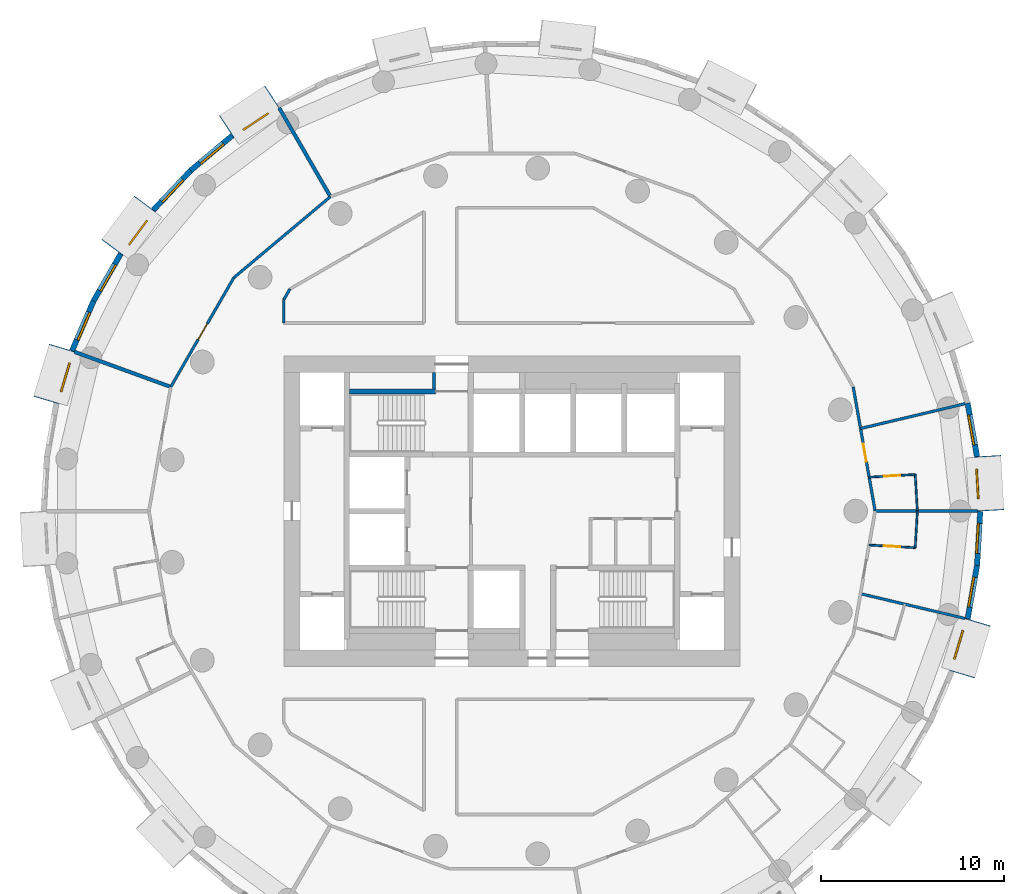
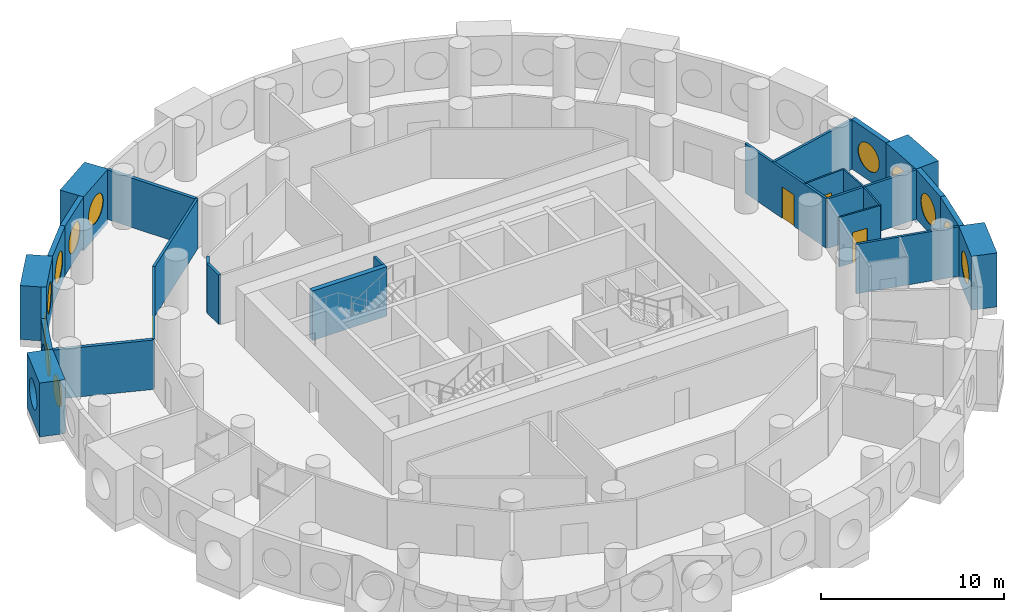
# One storey, part 6 of 10: 28 walls, 12 windows, 4 doors, 16 openings.
"""IFC4 building model written with IfcOpenShell, lengths in metres."""

from ifc_helpers import new_model, si_unit, direction, frame, frame_2d, origin, origin_2d, place, context, subcontext, project, spatial, rectangle, circle, extrude, material, layer, layer_set, type_object, element, fill, save


model = new_model("IFC4")

# Units and contexts
model_context = context("Model", 3, precision=1e-05, world=origin(), true_north=direction((0.0, 1.0)))
body_context = subcontext(model_context, "Body", "Model", "MODEL_VIEW")
ifc_project = project(units=[si_unit("LENGTHUNIT", "METRE"), si_unit("AREAUNIT", "SQUARE_METRE"), si_unit("VOLUMEUNIT", "CUBIC_METRE"), si_unit("PLANEANGLEUNIT", "RADIAN"), si_unit("MASSUNIT", "GRAM", prefix="KILO")], contexts=[model_context])

# Site, building, storey
site_placement = place(None, origin())
site = spatial("IfcSite", under=ifc_project, at=site_placement, CompositionType="ELEMENT")
building_placement = place(site_placement, origin())
building = spatial("IfcBuilding", under=site, at=building_placement, Name="Tracery Tower", CompositionType="ELEMENT")
storey_placement = place(building_placement, frame((0.0, 0.0, 194.39990234375)))
storey = spatial("IfcBuildingStorey", under=building, at=storey_placement, Name="L50", CompositionType="ELEMENT", Elevation=194.39990234375)

# Wall
ifc_material_1 = material(Name="Plasterboard on steel studs", Category="steel")
ifc_layer_1 = layer(ifc_material_1, 0.14990234375)
ifc_layer_set_1 = layer_set([ifc_layer_1], Name="Core room partition 150")
wall_type_1 = type_object("IfcWallType", Name="Core room partition 150", PredefinedType="SOLIDWALL", material=ifc_layer_set_1)
wall_1_placement = place(storey_placement, frame((-4.27490234375, 6.699951171875, 0.0), z_axis=(0.0, 0.0, 1.0), x_axis=(0.0, 1.0, 0.0)))
element("IfcWall", 1, at=wall_1_placement, inside=storey, type_object=wall_type_1, Name="L50 F N room", PredefinedType="SOLIDWALL", context=body_context, shape_type="SweptSolid", body=[
    extrude(rectangle(XDim=0.900146484375, YDim=0.14990234375, at=frame_2d((0.4501953125, 0.0))), origin(), (0.0, 0.0, 1.0), 3.300048828125),
])

# Wall, opening, window
ifc_material_2 = material(Name="Precast concrete C50/60", Category="concrete")
ifc_layer_2 = layer(ifc_material_2, 1.449951171875)
ifc_layer_set_2 = layer_set([ifc_layer_2], Name="Deep-set bay unit 3000 x 3600, slab edge 300")
wall_type_2 = type_object("IfcWallType", Name="Deep-set bay unit 3000 x 3600, slab edge 300", PredefinedType="ELEMENTEDWALL", material=ifc_layer_set_2)
wall_2_placement = place(storey_placement, frame((26.221923828125, 0.024658203125, -0.2998046875), z_axis=(0.0, 0.0, 1.0), x_axis=(-0.058106596105, 0.998310384344, 0.0)))
wall_2 = element("IfcWall", 2, at=wall_2_placement, inside=storey, type_object=wall_type_2, Name="Deep-set bay unit 1 at L50", PredefinedType="ELEMENTEDWALL", context=body_context, shape_type="SweptSolid", body=[
    extrude(rectangle(XDim=3.0, YDim=1.449951171875, at=frame_2d((1.5, 0.0))), origin(), (0.0, 0.0, 1.0), 3.599853515625),
])
opening_1_placement = place(wall_2_placement, frame((1.5, 0.0, 1.85009765625)))
opening_1 = element("IfcOpeningElement", 3, at=opening_1_placement, cuts=wall_2, Name="Opening WN1", PredefinedType="OPENING", context=body_context, shape_type="SweptSolid", body=[
    extrude(circle(Radius=0.9000244140625, at=origin_2d()), frame((0.0, 0.73486328125, 0.0), z_axis=(0.0, -1.0, 0.0), x_axis=(1.0, 0.0, 0.0)), (0.0, 0.0, 1.0), 1.469970703125),
])
ifc_material_3 = material(Name="Aluminium frame with tinted double glazing", Category="aluminium")
window_type = type_object("IfcWindowType", Name="Round window 1800", PartitioningType="SINGLE_PANEL", PredefinedType="WINDOW", material=ifc_material_3)
window_1_placement = place(opening_1_placement, origin())
window_1 = element("IfcWindow", 4, at=window_1_placement, inside=storey, type_object=window_type, Name="Round window 1 at L50", OverallHeight=1.800048828125, OverallWidth=1.800048828125, PartitioningType="SINGLE_PANEL", PredefinedType="WINDOW", context=body_context, shape_type="SweptSolid", body=[
    extrude(circle(Radius=0.9000244140625, at=origin_2d()), frame((0.0, 0.69482421875, 0.0), z_axis=(0.0, -1.0, 0.0), x_axis=(1.0, 0.0, 0.0)), (0.0, 0.0, 1.0), 0.10009765625),
])
fill(opening_1, window_1)

wall_3_placement = place(storey_placement, frame((-13.13232421875, 22.696533203125, -0.2998046875), z_axis=(0.0, 0.0, 1.0), x_axis=(-0.835514416706, -0.549468524554, 0.0)))
wall_3 = element("IfcWall", 5, at=wall_3_placement, inside=storey, type_object=wall_type_2, Name="Deep-set bay unit 19 at L50", PredefinedType="ELEMENTEDWALL", context=body_context, shape_type="SweptSolid", body=[
    extrude(rectangle(XDim=3.0, YDim=1.449951171875, at=frame_2d((1.5, 0.0))), origin(), (0.0, 0.0, 1.0), 3.599853515625),
])
opening_2_placement = place(wall_3_placement, frame((1.5, 0.0, 1.85009765625)))
opening_2 = element("IfcOpeningElement", 6, at=opening_2_placement, cuts=wall_3, Name="Opening WN1", PredefinedType="OPENING", context=body_context, shape_type="SweptSolid", body=[
    extrude(circle(Radius=0.9000244140625, at=origin_2d()), frame((0.0, 0.73486328125, 0.0), z_axis=(0.0, -1.0, 0.0), x_axis=(1.0, 0.0, 0.0)), (0.0, 0.0, 1.0), 1.469970703125),
])
window_2_placement = place(opening_2_placement, origin())
window_2 = element("IfcWindow", 7, at=window_2_placement, inside=storey, type_object=window_type, Name="Round window 19 at L50", OverallHeight=1.800048828125, OverallWidth=1.800048828125, PartitioningType="SINGLE_PANEL", PredefinedType="WINDOW", context=body_context, shape_type="SweptSolid", body=[
    extrude(circle(Radius=0.9000244140625, at=origin_2d()), frame((0.0, 0.69482421875, 0.0), z_axis=(0.0, -1.0, 0.0), x_axis=(1.0, 0.0, 0.0)), (0.0, 0.0, 1.0), 0.10009765625),
])
fill(opening_2, window_2)

wall_4_placement = place(storey_placement, frame((-20.10302734375, 16.836181640625, -0.2998046875), z_axis=(0.0, 0.0, 1.0), x_axis=(-0.597183717734, -0.802104486506, 0.0)))
wall_4 = element("IfcWall", 8, at=wall_4_placement, inside=storey, type_object=wall_type_2, Name="Deep-set bay unit 22 at L50", PredefinedType="ELEMENTEDWALL", context=body_context, shape_type="SweptSolid", body=[
    extrude(rectangle(XDim=3.0, YDim=1.449951171875, at=frame_2d((1.5, 0.0))), origin(), (0.0, 0.0, 1.0), 3.599853515625),
])
opening_3_placement = place(wall_4_placement, frame((1.5, 0.0, 1.85009765625)))
opening_3 = element("IfcOpeningElement", 9, at=opening_3_placement, cuts=wall_4, Name="Opening WN1", PredefinedType="OPENING", context=body_context, shape_type="SweptSolid", body=[
    extrude(circle(Radius=0.9000244140625, at=origin_2d()), frame((0.0, 0.73486328125, 0.0), z_axis=(0.0, -1.0, 0.0), x_axis=(1.0, 0.0, 0.0)), (0.0, 0.0, 1.0), 1.469970703125),
])
window_3_placement = place(opening_3_placement, origin())
window_3 = element("IfcWindow", 10, at=window_3_placement, inside=storey, type_object=window_type, Name="Round window 22 at L50", OverallHeight=1.800048828125, OverallWidth=1.800048828125, PartitioningType="SINGLE_PANEL", PredefinedType="WINDOW", context=body_context, shape_type="SweptSolid", body=[
    extrude(circle(Radius=0.9000244140625, at=origin_2d()), frame((0.0, 0.69482421875, 0.0), z_axis=(0.0, -1.0, 0.0), x_axis=(1.0, 0.0, 0.0)), (0.0, 0.0, 1.0), 0.10009765625),
])
fill(opening_3, window_3)

wall_5_placement = place(storey_placement, frame((-24.649169921875, 8.9453125, -0.2998046875), z_axis=(0.0, 0.0, 1.0), x_axis=(-0.286780420304, -0.957996341606, 0.0)))
wall_5 = element("IfcWall", 11, at=wall_5_placement, inside=storey, type_object=wall_type_2, Name="Deep-set bay unit 25 at L50", PredefinedType="ELEMENTEDWALL", context=body_context, shape_type="SweptSolid", body=[
    extrude(rectangle(XDim=3.0, YDim=1.449951171875, at=frame_2d((1.5, 0.0))), origin(), (0.0, 0.0, 1.0), 3.599853515625),
])
opening_4_placement = place(wall_5_placement, frame((1.5, 0.0, 1.85009765625)))
opening_4 = element("IfcOpeningElement", 12, at=opening_4_placement, cuts=wall_5, Name="Opening WN1", PredefinedType="OPENING", context=body_context, shape_type="SweptSolid", body=[
    extrude(circle(Radius=0.9000244140625, at=origin_2d()), frame((0.0, 0.73486328125, 0.0), z_axis=(0.0, -1.0, 0.0), x_axis=(1.0, 0.0, 0.0)), (0.0, 0.0, 1.0), 1.469970703125),
])
window_4_placement = place(opening_4_placement, origin())
window_4 = element("IfcWindow", 13, at=window_4_placement, inside=storey, type_object=window_type, Name="Round window 25 at L50", OverallHeight=1.800048828125, OverallWidth=1.800048828125, PartitioningType="SINGLE_PANEL", PredefinedType="WINDOW", context=body_context, shape_type="SweptSolid", body=[
    extrude(circle(Radius=0.9000244140625, at=origin_2d()), frame((0.0, 0.69482421875, 0.0), z_axis=(0.0, -1.0, 0.0), x_axis=(1.0, 0.0, 0.0)), (0.0, 0.0, 1.0), 0.10009765625),
])
fill(opening_4, window_4)

wall_6_placement = place(storey_placement, frame((24.649169921875, -8.9453125, -0.2998046875), z_axis=(0.0, 0.0, 1.0), x_axis=(0.286780420304, 0.957996341606, 0.0)))
wall_6 = element("IfcWall", 14, at=wall_6_placement, inside=storey, type_object=wall_type_2, Name="Deep-set bay unit 52 at L50", PredefinedType="ELEMENTEDWALL", context=body_context, shape_type="SweptSolid", body=[
    extrude(rectangle(XDim=3.0, YDim=1.449951171875, at=frame_2d((1.5, 0.0))), origin(), (0.0, 0.0, 1.0), 3.599853515625),
])
opening_5_placement = place(wall_6_placement, frame((1.5, 0.0, 1.85009765625)))
opening_5 = element("IfcOpeningElement", 15, at=opening_5_placement, cuts=wall_6, Name="Opening WN1", PredefinedType="OPENING", context=body_context, shape_type="SweptSolid", body=[
    extrude(circle(Radius=0.9000244140625, at=origin_2d()), frame((0.0, 0.73486328125, 0.0), z_axis=(0.0, -1.0, 0.0), x_axis=(1.0, 0.0, 0.0)), (0.0, 0.0, 1.0), 1.469970703125),
])
window_5_placement = place(opening_5_placement, origin())
window_5 = element("IfcWindow", 16, at=window_5_placement, inside=storey, type_object=window_type, Name="Round window 52 at L50", OverallHeight=1.800048828125, OverallWidth=1.800048828125, PartitioningType="SINGLE_PANEL", PredefinedType="WINDOW", context=body_context, shape_type="SweptSolid", body=[
    extrude(circle(Radius=0.9000244140625, at=origin_2d()), frame((0.0, 0.69482421875, 0.0), z_axis=(0.0, -1.0, 0.0), x_axis=(1.0, 0.0, 0.0)), (0.0, 0.0, 1.0), 0.10009765625),
])
fill(opening_5, window_5)

ifc_material_4 = material(Name="Precast concrete C50/60", Category="concrete")
ifc_layer_3 = layer(ifc_material_4, 0.300048828125)
ifc_layer_set_3 = layer_set([ifc_layer_3], Name="Facade panel 3000 x 3300")
wall_type_3 = type_object("IfcWallType", Name="Facade panel 3000 x 3300", PredefinedType="SOLIDWALL", material=ifc_layer_set_3)
wall_7_placement = place(storey_placement, frame((25.472412109375, 2.987060546875, 0.0), z_axis=(0.0, 0.0, 1.0), x_axis=(-0.173686952598, 0.984800915159, 0.0)))
wall_7 = element("IfcWall", 17, at=wall_7_placement, inside=storey, type_object=wall_type_3, Name="Facade panel 2 at L50", PredefinedType="SOLIDWALL", context=body_context, shape_type="SweptSolid", body=[
    extrude(rectangle(XDim=2.972900390625, YDim=0.300048828125, at=frame_2d((1.486328125, 0.0))), origin(), (0.0, 0.0, 1.0), 3.300048828125),
])
opening_6_placement = place(wall_7_placement, frame((1.486328125, 0.0, 1.5498046875)))
opening_6 = element("IfcOpeningElement", 18, at=opening_6_placement, cuts=wall_7, Name="Opening WN1", PredefinedType="OPENING", context=body_context, shape_type="SweptSolid", body=[
    extrude(circle(Radius=0.9000244140625, at=origin_2d()), frame((0.0, 0.159912109375, 0.0), z_axis=(0.0, -1.0, 0.0), x_axis=(1.0, 0.0, 0.0)), (0.0, 0.0, 1.0), 0.320068359375),
])
window_6_placement = place(opening_6_placement, origin())
window_6 = element("IfcWindow", 19, at=window_6_placement, inside=storey, type_object=window_type, Name="Round window 2 at L50", OverallHeight=1.800048828125, OverallWidth=1.800048828125, PartitioningType="SINGLE_PANEL", PredefinedType="WINDOW", context=body_context, shape_type="SweptSolid", body=[
    extrude(circle(Radius=0.9000244140625, at=origin_2d()), frame((0.0, 0.1201171875, 0.0), z_axis=(0.0, -1.0, 0.0), x_axis=(1.0, 0.0, 0.0)), (0.0, 0.0, 1.0), 0.10009765625),
])
fill(opening_6, window_6)

wall_8_placement = place(storey_placement, frame((-15.322998046875, 20.566162109375, 0.0), z_axis=(0.0, 0.0, 1.0), x_axis=(-0.766049350637, -0.642781761089, 0.0)))
wall_8 = element("IfcWall", 20, at=wall_8_placement, inside=storey, type_object=wall_type_3, Name="Facade panel 20 at L50", PredefinedType="SOLIDWALL", context=body_context, shape_type="SweptSolid", body=[
    extrude(rectangle(XDim=2.972900390625, YDim=0.300048828125, at=frame_2d((1.486328125, 0.0))), origin(), (0.0, 0.0, 1.0), 3.300048828125),
])
opening_7_placement = place(wall_8_placement, frame((1.486328125, 0.0, 1.5498046875)))
opening_7 = element("IfcOpeningElement", 21, at=opening_7_placement, cuts=wall_8, Name="Opening WN1", PredefinedType="OPENING", context=body_context, shape_type="SweptSolid", body=[
    extrude(circle(Radius=0.9000244140625, at=origin_2d()), frame((0.0, 0.159912109375, 0.0), z_axis=(0.0, -1.0, 0.0), x_axis=(1.0, 0.0, 0.0)), (0.0, 0.0, 1.0), 0.320068359375),
])
window_7_placement = place(opening_7_placement, origin())
window_7 = element("IfcWindow", 22, at=window_7_placement, inside=storey, type_object=window_type, Name="Round window 20 at L50", OverallHeight=1.800048828125, OverallWidth=1.800048828125, PartitioningType="SINGLE_PANEL", PredefinedType="WINDOW", context=body_context, shape_type="SweptSolid", body=[
    extrude(circle(Radius=0.9000244140625, at=origin_2d()), frame((0.0, 0.1201171875, 0.0), z_axis=(0.0, -1.0, 0.0), x_axis=(1.0, 0.0, 0.0)), (0.0, 0.0, 1.0), 0.10009765625),
])
fill(opening_7, window_7)

wall_9_placement = place(storey_placement, frame((-17.600341796875, 18.6552734375, 0.0), z_axis=(0.0, 0.0, 1.0), x_axis=(-0.686235184166, -0.727379730273, 0.0)))
wall_9 = element("IfcWall", 23, at=wall_9_placement, inside=storey, type_object=wall_type_3, Name="Facade panel 21 at L50", PredefinedType="SOLIDWALL", context=body_context, shape_type="SweptSolid", body=[
    extrude(rectangle(XDim=2.972900390625, YDim=0.300048828125, at=frame_2d((1.486328125, 0.0))), origin(), (0.0, 0.0, 1.0), 3.300048828125),
])
opening_8_placement = place(wall_9_placement, frame((1.486328125, 0.0, 1.5498046875)))
opening_8 = element("IfcOpeningElement", 24, at=opening_8_placement, cuts=wall_9, Name="Opening WN1", PredefinedType="OPENING", context=body_context, shape_type="SweptSolid", body=[
    extrude(circle(Radius=0.9000244140625, at=origin_2d()), frame((0.0, 0.159912109375, 0.0), z_axis=(0.0, -1.0, 0.0), x_axis=(1.0, 0.0, 0.0)), (0.0, 0.0, 1.0), 0.320068359375),
])
window_8_placement = place(opening_8_placement, origin())
window_8 = element("IfcWindow", 25, at=window_8_placement, inside=storey, type_object=window_type, Name="Round window 21 at L50", OverallHeight=1.800048828125, OverallWidth=1.800048828125, PartitioningType="SINGLE_PANEL", PredefinedType="WINDOW", context=body_context, shape_type="SweptSolid", body=[
    extrude(circle(Radius=0.9000244140625, at=origin_2d()), frame((0.0, 0.1201171875, 0.0), z_axis=(0.0, -1.0, 0.0), x_axis=(1.0, 0.0, 0.0)), (0.0, 0.0, 1.0), 0.10009765625),
])
fill(opening_8, window_8)

wall_10_placement = place(storey_placement, frame((-21.432861328125, 14.085205078125, 0.0), z_axis=(0.0, 0.0, 1.0), x_axis=(-0.500016263033, -0.866016014115, 0.0)))
wall_10 = element("IfcWall", 26, at=wall_10_placement, inside=storey, type_object=wall_type_3, Name="Facade panel 23 at L50", PredefinedType="SOLIDWALL", context=body_context, shape_type="SweptSolid", body=[
    extrude(rectangle(XDim=2.97314453125, YDim=0.300048828125, at=frame_2d((1.486572265625, 0.0))), origin(), (0.0, 0.0, 1.0), 3.300048828125),
])
opening_9_placement = place(wall_10_placement, frame((1.486328125, 0.0, 1.5498046875)))
opening_9 = element("IfcOpeningElement", 27, at=opening_9_placement, cuts=wall_10, Name="Opening WN1", PredefinedType="OPENING", context=body_context, shape_type="SweptSolid", body=[
    extrude(circle(Radius=0.9000244140625, at=origin_2d()), frame((0.0, 0.159912109375, 0.0), z_axis=(0.0, -1.0, 0.0), x_axis=(1.0, 0.0, 0.0)), (0.0, 0.0, 1.0), 0.320068359375),
])
window_9_placement = place(opening_9_placement, origin())
window_9 = element("IfcWindow", 28, at=window_9_placement, inside=storey, type_object=window_type, Name="Round window 23 at L50", OverallHeight=1.800048828125, OverallWidth=1.800048828125, PartitioningType="SINGLE_PANEL", PredefinedType="WINDOW", context=body_context, shape_type="SweptSolid", body=[
    extrude(circle(Radius=0.9000244140625, at=origin_2d()), frame((0.0, 0.1201171875, 0.0), z_axis=(0.0, -1.0, 0.0), x_axis=(1.0, 0.0, 0.0)), (0.0, 0.0, 1.0), 0.10009765625),
])
fill(opening_9, window_9)

wall_11_placement = place(storey_placement, frame((-22.91943359375, 11.510498046875, 0.0), z_axis=(0.0, 0.0, 1.0), x_axis=(-0.396078892785, -0.918216483565, 0.0)))
wall_11 = element("IfcWall", 29, at=wall_11_placement, inside=storey, type_object=wall_type_3, Name="Facade panel 24 at L50", PredefinedType="SOLIDWALL", context=body_context, shape_type="SweptSolid", body=[
    extrude(rectangle(XDim=2.972900390625, YDim=0.300048828125, at=frame_2d((1.486328125, 0.0))), origin(), (0.0, 0.0, 1.0), 3.300048828125),
])
opening_10_placement = place(wall_11_placement, frame((1.486328125, 0.0, 1.5498046875)))
opening_10 = element("IfcOpeningElement", 30, at=opening_10_placement, cuts=wall_11, Name="Opening WN1", PredefinedType="OPENING", context=body_context, shape_type="SweptSolid", body=[
    extrude(circle(Radius=0.9000244140625, at=origin_2d()), frame((0.0, 0.159912109375, 0.0), z_axis=(0.0, -1.0, 0.0), x_axis=(1.0, 0.0, 0.0)), (0.0, 0.0, 1.0), 0.320068359375),
])
window_10_placement = place(opening_10_placement, origin())
window_10 = element("IfcWindow", 31, at=window_10_placement, inside=storey, type_object=window_type, Name="Round window 24 at L50", OverallHeight=1.800048828125, OverallWidth=1.800048828125, PartitioningType="SINGLE_PANEL", PredefinedType="WINDOW", context=body_context, shape_type="SweptSolid", body=[
    extrude(circle(Radius=0.9000244140625, at=origin_2d()), frame((0.0, 0.1201171875, 0.0), z_axis=(0.0, -1.0, 0.0), x_axis=(1.0, 0.0, 0.0)), (0.0, 0.0, 1.0), 0.10009765625),
])
fill(opening_10, window_10)

wall_12_placement = place(storey_placement, frame((24.957763671875, -5.9052734375, 0.0), z_axis=(0.0, 0.0, 1.0), x_axis=(0.173686952598, 0.984800915159, 0.0)))
wall_12 = element("IfcWall", 32, at=wall_12_placement, inside=storey, type_object=wall_type_3, Name="Facade panel 53 at L50", PredefinedType="SOLIDWALL", context=body_context, shape_type="SweptSolid", body=[
    extrude(rectangle(XDim=2.972900390625, YDim=0.300048828125, at=frame_2d((1.486328125, 0.0))), origin(), (0.0, 0.0, 1.0), 3.300048828125),
])
opening_11_placement = place(wall_12_placement, frame((1.486328125, 0.0, 1.5498046875)))
opening_11 = element("IfcOpeningElement", 33, at=opening_11_placement, cuts=wall_12, Name="Opening WN1", PredefinedType="OPENING", context=body_context, shape_type="SweptSolid", body=[
    extrude(circle(Radius=0.9000244140625, at=origin_2d()), frame((0.0, 0.159912109375, 0.0), z_axis=(0.0, -1.0, 0.0), x_axis=(1.0, 0.0, 0.0)), (0.0, 0.0, 1.0), 0.320068359375),
])
window_11_placement = place(opening_11_placement, origin())
window_11 = element("IfcWindow", 34, at=window_11_placement, inside=storey, type_object=window_type, Name="Round window 53 at L50", OverallHeight=1.800048828125, OverallWidth=1.800048828125, PartitioningType="SINGLE_PANEL", PredefinedType="WINDOW", context=body_context, shape_type="SweptSolid", body=[
    extrude(circle(Radius=0.9000244140625, at=origin_2d()), frame((0.0, 0.1201171875, 0.0), z_axis=(0.0, -1.0, 0.0), x_axis=(1.0, 0.0, 0.0)), (0.0, 0.0, 1.0), 0.10009765625),
])
fill(opening_11, window_11)

wall_13_placement = place(storey_placement, frame((25.47412109375, -2.9775390625, 0.0), z_axis=(0.0, 0.0, 1.0), x_axis=(0.058139540521, 0.998308466271, 0.0)))
wall_13 = element("IfcWall", 35, at=wall_13_placement, inside=storey, type_object=wall_type_3, Name="Facade panel 54 at L50", PredefinedType="SOLIDWALL", context=body_context, shape_type="SweptSolid", body=[
    extrude(rectangle(XDim=2.97314453125, YDim=0.300048828125, at=frame_2d((1.486572265625, 0.0))), origin(), (0.0, 0.0, 1.0), 3.300048828125),
])
opening_12_placement = place(wall_13_placement, frame((1.486328125, 0.0, 1.5498046875)))
opening_12 = element("IfcOpeningElement", 36, at=opening_12_placement, cuts=wall_13, Name="Opening WN1", PredefinedType="OPENING", context=body_context, shape_type="SweptSolid", body=[
    extrude(circle(Radius=0.9000244140625, at=origin_2d()), frame((0.0, 0.159912109375, 0.0), z_axis=(0.0, -1.0, 0.0), x_axis=(1.0, 0.0, 0.0)), (0.0, 0.0, 1.0), 0.320068359375),
])
window_12_placement = place(opening_12_placement, origin())
window_12 = element("IfcWindow", 37, at=window_12_placement, inside=storey, type_object=window_type, Name="Round window 54 at L50", OverallHeight=1.800048828125, OverallWidth=1.800048828125, PartitioningType="SINGLE_PANEL", PredefinedType="WINDOW", context=body_context, shape_type="SweptSolid", body=[
    extrude(circle(Radius=0.9000244140625, at=origin_2d()), frame((0.0, 0.1201171875, 0.0), z_axis=(0.0, -1.0, 0.0), x_axis=(1.0, 0.0, 0.0)), (0.0, 0.0, 1.0), 0.10009765625),
])
fill(opening_12, window_12)

# Wall
ifc_material_5 = material(Name="Plasterboard on steel studs", Category="steel")
ifc_layer_4 = layer(ifc_material_5, 0.10009765625)
ifc_layer_set_4 = layer_set([ifc_layer_4], Name="Partition 100 wet wall")
wall_type_4 = type_object("IfcWallType", Name="Partition 100 wet wall", PredefinedType="PARTITIONING", material=ifc_layer_set_4)
wall_14_placement = place(storey_placement, frame((22.083984375, 2.0048828125, 0.0), z_axis=(0.0, 0.0, 1.0), x_axis=(0.058230299749, -0.998303176491, 0.0)))
element("IfcWall", 38, at=wall_14_placement, inside=storey, type_object=wall_type_4, Name="Wet wall RB7-040", PredefinedType="PARTITIONING", context=body_context, shape_type="SweptSolid", body=[
    extrude(rectangle(XDim=2.00830078125, YDim=0.10009765625, at=frame_2d((1.004150390625, 0.0))), origin(), (0.0, 0.0, 1.0), 3.300048828125),
])

# Wall, opening, door
wall_15_placement = place(storey_placement, frame((19.56005859375, 1.85791015625, 0.0), z_axis=(0.0, 0.0, 1.0), x_axis=(0.998308830473, 0.05813328651, 0.0)))
wall_15 = element("IfcWall", 39, at=wall_15_placement, inside=storey, type_object=wall_type_4, Name="Wet wall RB7-041", PredefinedType="PARTITIONING", context=body_context, shape_type="SweptSolid", body=[
    extrude(rectangle(XDim=2.5283203125, YDim=0.10009765625, at=frame_2d((1.26416015625, 0.0))), origin(), (0.0, 0.0, 1.0), 3.300048828125),
])
opening_13_placement = place(wall_15_placement, frame((0.814208984375, 0.0, 0.0)))
opening_13 = element("IfcOpeningElement", 40, at=opening_13_placement, cuts=wall_15, Name="Opening RB7-05", PredefinedType="OPENING", context=body_context, shape_type="SweptSolid", body=[
    extrude(rectangle(XDim=0.89990234375, YDim=2.0400390625, at=frame_2d((0.449951171875, 1.02001953125))), frame((0.0, 0.050048828125, 0.0), z_axis=(0.0, -1.0, 0.0), x_axis=(1.0, 0.0, 0.0)), (0.0, 0.0, 1.0), 0.10009765625),
])
ifc_material_6 = material(Name="Timber door leaf", Category="wood")
door_type_1 = type_object("IfcDoorType", Name="Door en-suite 900", OperationType="NOTDEFINED", PredefinedType="DOOR", material=ifc_material_6)
door_1_placement = place(opening_13_placement, origin())
door_1 = element("IfcDoor", 41, at=door_1_placement, inside=storey, type_object=door_type_1, Name="En-suite door RB7-05", OperationType="SINGLE_SWING_LEFT", OverallHeight=2.0400390625, OverallWidth=0.89990234375, PredefinedType="DOOR", context=body_context, shape_type="SweptSolid", body=[
    extrude(rectangle(XDim=0.89990234375, YDim=2.0400390625, at=frame_2d((0.449951171875, 1.02001953125))), frame((0.0, 0.02490234375, 0.0), z_axis=(0.0, -1.0, 0.0), x_axis=(1.0, 0.0, 0.0)), (0.0, 0.0, 1.0), 0.050048828125),
])
fill(opening_13, door_1)

wall_16_placement = place(storey_placement, frame((19.56005859375, -1.85791015625, 0.0), z_axis=(0.0, 0.0, 1.0), x_axis=(0.998308830473, -0.05813328651, 0.0)))
wall_16 = element("IfcWall", 42, at=wall_16_placement, inside=storey, type_object=wall_type_4, Name="Wet wall RB7-067", PredefinedType="PARTITIONING", context=body_context, shape_type="SweptSolid", body=[
    extrude(rectangle(XDim=2.5283203125, YDim=0.10009765625, at=frame_2d((1.26416015625, 0.0))), origin(), (0.0, 0.0, 1.0), 3.300048828125),
])
opening_14_placement = place(wall_16_placement, frame((0.81396484375, 0.0, 0.0)))
opening_14 = element("IfcOpeningElement", 43, at=opening_14_placement, cuts=wall_16, Name="Opening RB7-25", PredefinedType="OPENING", context=body_context, shape_type="SweptSolid", body=[
    extrude(rectangle(XDim=0.89990234375, YDim=2.0400390625, at=frame_2d((0.449951171875, 1.02001953125))), frame((0.0, 0.050048828125, 0.0), z_axis=(0.0, -1.0, 0.0), x_axis=(1.0, 0.0, 0.0)), (0.0, 0.0, 1.0), 0.10009765625),
])
door_2_placement = place(opening_14_placement, origin())
door_2 = element("IfcDoor", 44, at=door_2_placement, inside=storey, type_object=door_type_1, Name="En-suite door RB7-25", OperationType="SINGLE_SWING_LEFT", OverallHeight=2.0400390625, OverallWidth=0.89990234375, PredefinedType="DOOR", context=body_context, shape_type="SweptSolid", body=[
    extrude(rectangle(XDim=0.89990234375, YDim=2.0400390625, at=frame_2d((0.449951171875, 1.02001953125))), frame((0.0, 0.02490234375, 0.0), z_axis=(0.0, -1.0, 0.0), x_axis=(1.0, 0.0, 0.0)), (0.0, 0.0, 1.0), 0.050048828125),
])
fill(opening_14, door_2)

# Walls
wall_17_placement = place(storey_placement, frame((22.083984375, -2.0048828125, 0.0), z_axis=(0.0, 0.0, 1.0), x_axis=(0.058230299749, 0.998303176491, 0.0)))
element("IfcWall", 45, at=wall_17_placement, inside=storey, type_object=wall_type_4, Name="Wet wall RB7-068", PredefinedType="PARTITIONING", context=body_context, shape_type="SweptSolid", body=[
    extrude(rectangle(XDim=2.00830078125, YDim=0.10009765625, at=frame_2d((1.004150390625, 0.0))), origin(), (0.0, 0.0, 1.0), 3.300048828125),
])
ifc_material_7 = material(Name="Plasterboard on steel studs", Category="steel")
ifc_layer_5 = layer(ifc_material_7, 0.14990234375)
ifc_layer_set_5 = layer_set([ifc_layer_5], Name="Partition 150 acoustic unit wall")
wall_type_5 = type_object("IfcWallType", Name="Partition 150 acoustic unit wall", PredefinedType="PARTITIONING", material=ifc_layer_set_5)
wall_18_placement = place(storey_placement, frame((19.090087890625, 4.52392578125, 0.0), z_axis=(0.0, 0.0, 1.0), x_axis=(0.973033452951, 0.230664040193, 0.0)))
element("IfcWall", 46, at=wall_18_placement, inside=storey, type_object=wall_type_5, Name="Unit wall RB7-042", PredefinedType="PARTITIONING", context=body_context, shape_type="SweptSolid", body=[
    extrude(rectangle(XDim=5.87841796875, YDim=0.14990234375, at=frame_2d((2.939208984375, 0.0))), origin(), (0.0, 0.0, 1.0), 3.300048828125),
])
wall_19_placement = place(storey_placement, frame((19.887939453125, 0.0, 0.0), z_axis=(0.0, 0.0, 1.0), x_axis=(1.0, 0.0, 0.0)))
element("IfcWall", 47, at=wall_19_placement, inside=storey, type_object=wall_type_5, Name="Unit wall RB7-043", PredefinedType="PARTITIONING", context=body_context, shape_type="SweptSolid", body=[
    extrude(rectangle(XDim=5.609130859375, YDim=0.14990234375, at=frame_2d((2.8046875, 0.0))), origin(), (0.0, 0.0, 1.0), 3.300048828125),
])
wall_20_placement = place(storey_placement, frame((19.090087890625, -4.523681640625, 0.0), z_axis=(0.0, 0.0, 1.0), x_axis=(0.973024130834, -0.230703361082, 0.0)))
element("IfcWall", 48, at=wall_20_placement, inside=storey, type_object=wall_type_5, Name="Unit wall RB7-066", PredefinedType="PARTITIONING", context=body_context, shape_type="SweptSolid", body=[
    extrude(rectangle(XDim=5.878662109375, YDim=0.14990234375, at=frame_2d((2.939453125, 0.0))), origin(), (0.0, 0.0, 1.0), 3.300048828125),
])

# Wall, opening, door
ifc_material_8 = material(Name="Plasterboard on steel studs", Category="steel")
ifc_layer_6 = layer(ifc_material_8, 0.14990234375)
ifc_layer_set_6 = layer_set([ifc_layer_6], Name="Partition 150 corridor wall")
wall_type_6 = type_object("IfcWallType", Name="Partition 150 corridor wall", PredefinedType="PARTITIONING", material=ifc_layer_set_6)
wall_21_placement = place(storey_placement, frame((18.6875, 6.802001953125, 0.0), z_axis=(0.0, 0.0, 1.0), x_axis=(0.173831710537, -0.984775373581, 0.0)))
wall_21 = element("IfcWall", 49, at=wall_21_placement, inside=storey, type_object=wall_type_6, Name="Corridor wall RB7-007", PredefinedType="PARTITIONING", context=body_context, shape_type="SweptSolid", body=[
    extrude(rectangle(XDim=6.9072265625, YDim=0.14990234375, at=frame_2d((3.45361328125, 0.0))), origin(), (0.0, 0.0, 1.0), 3.300048828125),
])
opening_15_placement = place(wall_21_placement, frame((3.1669921875, 0.0, 0.0)))
opening_15 = element("IfcOpeningElement", 50, at=opening_15_placement, cuts=wall_21, Name="Opening RB7-06", PredefinedType="OPENING", context=body_context, shape_type="SweptSolid", body=[
    extrude(rectangle(XDim=1.0, YDim=2.10009765625, at=frame_2d((0.5, 1.050048828125))), frame((0.0, 0.074951171875, 0.0), z_axis=(0.0, -1.0, 0.0), x_axis=(1.0, 0.0, 0.0)), (0.0, 0.0, 1.0), 0.14990234375),
])
ifc_material_9 = material(Name="Timber door leaf", Category="wood")
door_type_2 = type_object("IfcDoorType", Name="Door unit entrance 1000", OperationType="NOTDEFINED", PredefinedType="DOOR", material=ifc_material_9)
door_3_placement = place(opening_15_placement, origin())
door_3 = element("IfcDoor", 51, at=door_3_placement, inside=storey, type_object=door_type_2, Name="Unit entrance door RB7-06", OperationType="SINGLE_SWING_RIGHT", OverallHeight=2.10009765625, OverallWidth=1.0, PredefinedType="DOOR", context=body_context, shape_type="SweptSolid", body=[
    extrude(rectangle(XDim=1.0, YDim=2.10009765625, at=frame_2d((0.5, 1.050048828125))), frame((0.0, 0.02490234375, 0.0), z_axis=(0.0, -1.0, 0.0), x_axis=(1.0, 0.0, 0.0)), (0.0, 0.0, 1.0), 0.050048828125),
])
fill(opening_15, door_3)

# Walls
wall_22_placement = place(storey_placement, frame((-15.23486328125, 12.78369140625, 0.0), z_axis=(0.0, 0.0, 1.0), x_axis=(0.766064078986, 0.642764207845, 0.0)))
element("IfcWall", 52, at=wall_22_placement, inside=storey, type_object=wall_type_6, Name="Corridor wall RB7-022", PredefinedType="PARTITIONING", context=body_context, shape_type="SweptSolid", body=[
    extrude(rectangle(XDim=6.906494140625, YDim=0.14990234375, at=frame_2d((3.453125, 0.0))), origin(), (0.0, 0.0, 1.0), 3.300048828125),
])
wall_23_placement = place(storey_placement, frame((-12.5, 11.576904296875, 0.0), z_axis=(0.0, 0.0, 1.0), x_axis=(0.500024767483, 0.866011103799, 0.0)))
element("IfcWall", 53, at=wall_23_placement, inside=storey, type_object=wall_type_6, Name="Corridor wall RB7-023", PredefinedType="PARTITIONING", context=body_context, shape_type="SweptSolid", body=[
    extrude(rectangle(XDim=0.67578125, YDim=0.14990234375, at=frame_2d((0.337890625, 0.0))), origin(), (0.0, 0.0, 1.0), 3.300048828125),
])
wall_24_placement = place(storey_placement, frame((-12.5, 10.300048828125, 0.0), z_axis=(0.0, 0.0, 1.0), x_axis=(0.0, 1.0, 0.0)))
element("IfcWall", 54, at=wall_24_placement, inside=storey, type_object=wall_type_6, Name="Corridor wall RB7-024", PredefinedType="PARTITIONING", context=body_context, shape_type="SweptSolid", body=[
    extrude(rectangle(XDim=1.27685546875, YDim=0.14990234375, at=frame_2d((0.638427734375, 0.0))), origin(), (0.0, 0.0, 1.0), 3.300048828125),
])

# Wall, opening, door
wall_25_placement = place(storey_placement, frame((-18.68798828125, 6.802001953125, 0.0), z_axis=(0.0, 0.0, 1.0), x_axis=(0.499914202267, 0.866074933462, 0.0)))
wall_25 = element("IfcWall", 55, at=wall_25_placement, inside=storey, type_object=wall_type_6, Name="Corridor wall RB7-027", PredefinedType="PARTITIONING", context=body_context, shape_type="SweptSolid", body=[
    extrude(rectangle(XDim=6.906982421875, YDim=0.14990234375, at=frame_2d((3.45361328125, 0.0))), origin(), (0.0, 0.0, 1.0), 3.300048828125),
])
opening_16_placement = place(wall_25_placement, frame((3.00390625, 0.0, 0.0)))
opening_16 = element("IfcOpeningElement", 56, at=opening_16_placement, cuts=wall_25, Name="Opening RB7-10", PredefinedType="OPENING", context=body_context, shape_type="SweptSolid", body=[
    extrude(rectangle(XDim=1.0, YDim=2.0400390625, at=frame_2d((0.5, 1.02001953125))), frame((0.0, 0.074951171875, 0.0), z_axis=(0.0, -1.0, 0.0), x_axis=(1.0, 0.0, 0.0)), (0.0, 0.0, 1.0), 0.14990234375),
])
ifc_material_10 = material(Name="Timber door leaf", Category="wood")
door_type_3 = type_object("IfcDoorType", Name="Door communal room 1000", OperationType="NOTDEFINED", PredefinedType="DOOR", material=ifc_material_10)
door_4_placement = place(opening_16_placement, origin())
door_4 = element("IfcDoor", 57, at=door_4_placement, inside=storey, type_object=door_type_3, Name="Communal room door RB7-10", OperationType="SINGLE_SWING_RIGHT", OverallHeight=2.0400390625, OverallWidth=1.0, PredefinedType="DOOR", context=body_context, shape_type="SweptSolid", body=[
    extrude(rectangle(XDim=1.0, YDim=2.0400390625, at=frame_2d((0.5, 1.02001953125))), frame((0.0, 0.02490234375, 0.0), z_axis=(0.0, -1.0, 0.0), x_axis=(1.0, 0.0, 0.0)), (0.0, 0.0, 1.0), 0.050048828125),
])
fill(opening_16, door_4)

# Walls
ifc_material_11 = material(Name="Plasterboard on steel studs", Category="steel")
ifc_layer_7 = layer(ifc_material_11, 0.199951171875)
ifc_layer_set_7 = layer_set([ifc_layer_7], Name="Partition 200 compartment wall")
wall_type_7 = type_object("IfcWallType", Name="Partition 200 compartment wall", PredefinedType="PARTITIONING", material=ifc_layer_set_7)
wall_26_placement = place(storey_placement, frame((-12.7490234375, 22.0810546875, 0.0), z_axis=(0.0, 0.0, 1.0), x_axis=(0.500010020406, -0.866019618423, 0.0)))
element("IfcWall", 58, at=wall_26_placement, inside=storey, type_object=wall_type_7, Name="Compartment wall RB7-046", PredefinedType="PARTITIONING", context=body_context, shape_type="SweptSolid", body=[
    extrude(rectangle(XDim=5.60986328125, YDim=0.199951171875, at=frame_2d((2.804931640625, 0.0))), origin(), (0.0, 0.0, 1.0), 3.300048828125),
])
wall_27_placement = place(storey_placement, frame((-23.9599609375, 8.720947265625, 0.0), z_axis=(0.0, 0.0, 1.0), x_axis=(0.939686652043, -0.342036541866, 0.0)))
element("IfcWall", 59, at=wall_27_placement, inside=storey, type_object=wall_type_7, Name="Compartment wall RB7-047", PredefinedType="PARTITIONING", context=body_context, shape_type="SweptSolid", body=[
    extrude(rectangle(XDim=5.6103515625, YDim=0.199951171875, at=frame_2d((2.80517578125, 0.0))), origin(), (0.0, 0.0, 1.0), 3.300048828125),
])
ifc_material_12 = material(Name="Concrete C50/60", Category="concrete")
ifc_layer_8 = layer(ifc_material_12, 0.300048828125)
ifc_layer_set_8 = layer_set([ifc_layer_8], Name="Stair wall 300 C50")
wall_type_8 = type_object("IfcWallType", Name="Stair wall 300 C50", PredefinedType="SOLIDWALL", material=ifc_layer_set_8)
wall_28_placement = place(storey_placement, frame((-8.89990234375, 6.550048828125, 0.0), z_axis=(0.0, 0.0, 1.0), x_axis=(1.0, 0.0, 0.0)))
element("IfcWall", 60, at=wall_28_placement, inside=storey, type_object=wall_type_8, Name="L50 F N W", PredefinedType="SOLIDWALL", context=body_context, shape_type="SweptSolid", body=[
    extrude(rectangle(XDim=4.699951171875, YDim=0.300048828125, at=frame_2d((2.35009765625, 0.0))), origin(), (0.0, 0.0, 1.0), 3.300048828125),
])

save(model, "model.ifc")
